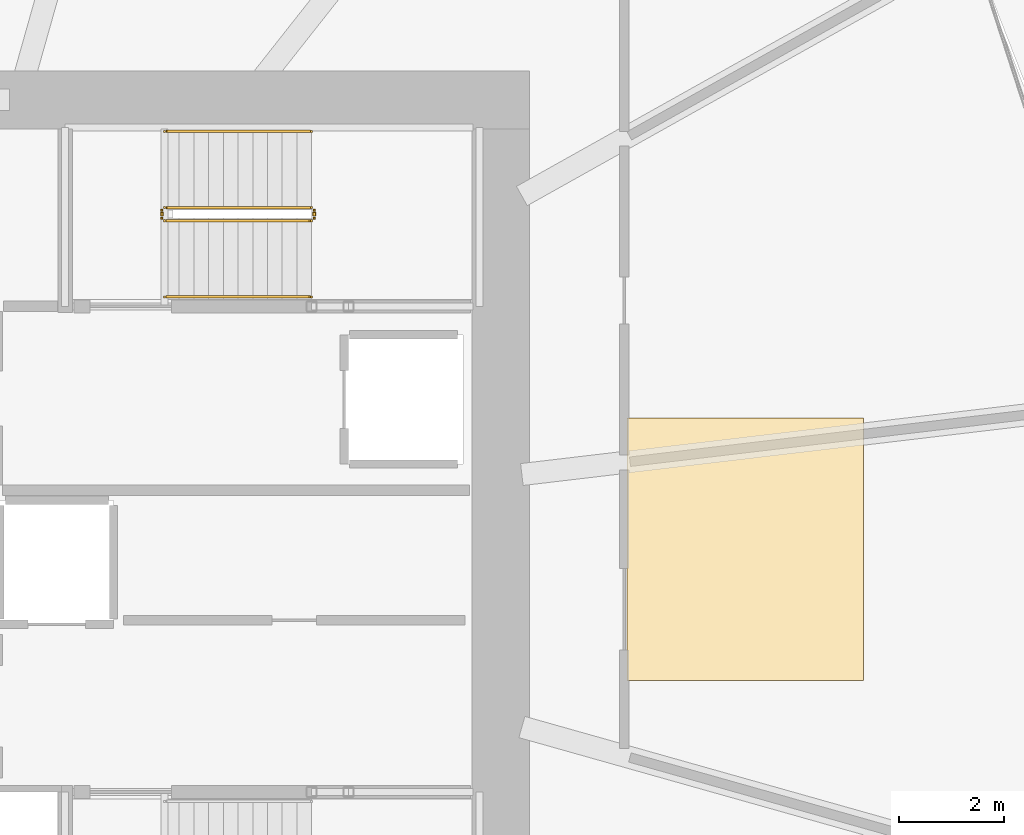
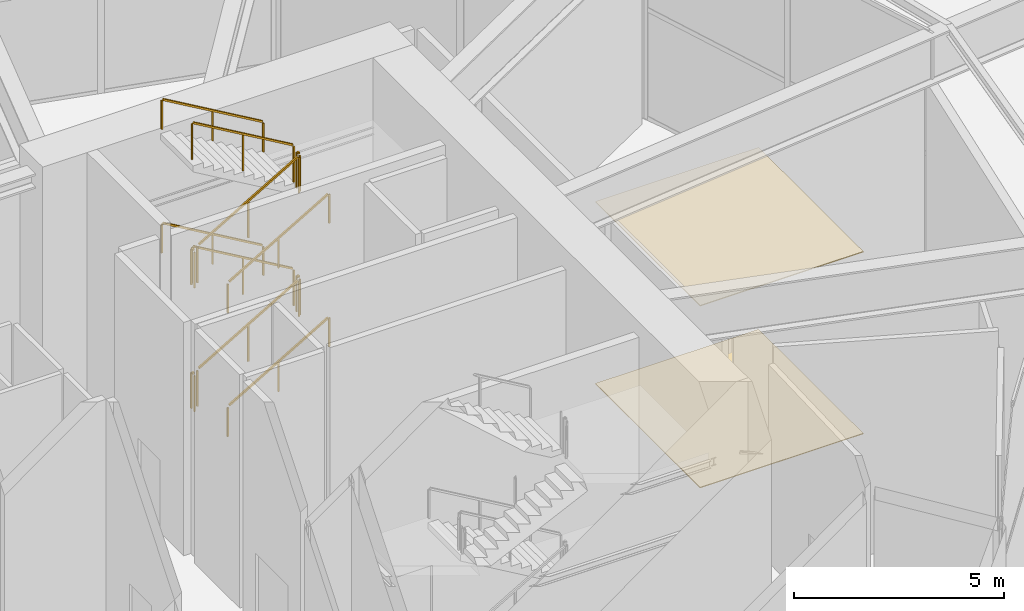
# One storey, part 26 of 28: 12 railings, 2 coverings.
"""IFC4 building model written with IfcOpenShell, lengths in metres."""

import ifcopenshell
import ifcopenshell.guid

model = None  # the IFC model being written
_history = None  # IfcOwnerHistory: only IFC2X3 demands one
_inside = {}  # id of a spatial element -> (the spatial element, [elements in it])
_under = {}  # id of a project, library or spatial element -> (it, [spatial elements below it])
_declared = {}  # id of a project -> (the project, [libraries it declares])
_typed = {}  # id of a type object -> (the type object, [elements of that type])
_made_of = {}  # id of a material, layer set ... -> (it, [elements and type objects made of it])


def new_model(schema):
    """Start an empty IFC model of exactly this schema.

    Asked for "IFC4X3", IfcOpenShell would pick the latest addendum, in which some entities
    have other attributes; the version numbers below select the first issue.
    IFC2X3 requires an IfcOwnerHistory on every rooted entity: one is made here for all.
    """
    global model, _history
    if schema == "IFC4X3":
        model = ifcopenshell.file(schema_version=(4, 3, 0, 0))
    else:
        model = ifcopenshell.file(schema=schema)
    _inside.clear()
    _under.clear()
    _declared.clear()
    _typed.clear()
    _made_of.clear()
    _history = None
    if model.schema == "IFC2X3":
        org = make("IfcOrganization", Name="unknown")
        user = make(
            "IfcPersonAndOrganization",
            ThePerson=make("IfcPerson", FamilyName="unknown"),
            TheOrganization=org,
        )
        app = make(
            "IfcApplication",
            ApplicationDeveloper=org,
            Version="unknown",
            ApplicationFullName="unknown",
            ApplicationIdentifier="unknown",
        )
        _history = make(
            "IfcOwnerHistory",
            OwningUser=user,
            OwningApplication=app,
            ChangeAction="ADDED",
            CreationDate=0,
        )
    return model


def make(cls, **values):
    """One entity of the class cls with the attributes given. An attribute that is None is left unset."""
    return model.create_entity(
        cls, **{name: value for name, value in values.items() if value is not None}
    )


def rooted(cls, **values):
    """An entity with a GlobalId (a new one), such as an element, a storey or a relation."""
    return make(cls, GlobalId=ifcopenshell.guid.new(), OwnerHistory=_history, **values)


def si_unit(unit_type, name, prefix=None):
    """IfcSIUnit, for example si_unit("LENGTHUNIT", "METRE", prefix="MILLI")."""
    return make("IfcSIUnit", UnitType=unit_type, Prefix=prefix, Name=name)


def assignment(units):
    """IfcUnitAssignment: the units of a project."""
    return None if units is None else make("IfcUnitAssignment", Units=units)


def point(xyz):
    """IfcCartesianPoint."""
    return None if xyz is None else make("IfcCartesianPoint", Coordinates=xyz)


def direction(xyz):
    """IfcDirection."""
    return None if xyz is None else make("IfcDirection", DirectionRatios=xyz)


def frame(location, z_axis=None, x_axis=None):
    """IfcAxis2Placement3D, a coordinate frame: its origin and axes. An axis left out is left unset."""
    return make(
        "IfcAxis2Placement3D",
        Location=point(location),
        Axis=direction(z_axis),
        RefDirection=direction(x_axis),
    )


def frame_2d(location, x_axis=None):
    """IfcAxis2Placement2D, a coordinate frame in the plane: its origin and x axis."""
    return make(
        "IfcAxis2Placement2D", Location=point(location), RefDirection=direction(x_axis)
    )


def origin():
    """The frame at (0, 0, 0) with its axes left unset."""
    return frame((0.0, 0.0, 0.0))


def origin_2d():
    """The frame at (0, 0) in the plane with its x axis left unset."""
    return frame_2d((0.0, 0.0))


def place(relative_to, where):
    """IfcLocalPlacement: puts the frame where relative to a parent placement (None: the world)."""
    return make(
        "IfcLocalPlacement", PlacementRelTo=relative_to, RelativePlacement=where
    )


def context(
    kind, dimensions, precision=None, world=None, true_north=None, identifier=None
):
    """IfcGeometricRepresentationContext, for example the 3D "Model" context."""
    return make(
        "IfcGeometricRepresentationContext",
        ContextIdentifier=identifier,
        ContextType=kind,
        CoordinateSpaceDimension=dimensions,
        Precision=precision,
        WorldCoordinateSystem=world,
        TrueNorth=true_north,
    )


def subcontext(parent, identifier, kind, view, scale=None):
    """IfcGeometricRepresentationSubContext, for example "Body" below "Model"."""
    return make(
        "IfcGeometricRepresentationSubContext",
        ContextIdentifier=identifier,
        ContextType=kind,
        ParentContext=parent,
        TargetScale=scale,
        TargetView=view,
    )


def project(units=None, contexts=None):
    """IfcProject with its units and contexts."""
    return rooted(
        "IfcProject",
        Name="project",
        RepresentationContexts=contexts,
        UnitsInContext=assignment(units),
    )


def spatial(cls, under=None, at=None, **own):
    """A site, building, storey or space (cls), placed at a placement, below another one or the project."""
    s = rooted(cls, ObjectPlacement=at, **own)
    if under is not None:
        _under.setdefault(under.id(), (under, []))[1].append(s)
    return s


def polyline(points):
    """IfcPolyline through the points."""
    return make("IfcPolyline", Points=[point(p) for p in points])


def profile(cls, at=None, kind="AREA", **sizes):
    """A parametric profile (cls). Its sizes go by their IFC names, for example OverallWidth=200.0."""
    return make(cls, ProfileType=kind, Position=at, **sizes)


def rectangle(**sizes):
    """IfcRectangleProfileDef."""
    return profile("IfcRectangleProfileDef", **sizes)


def outline(outer, holes=None, kind="AREA"):
    """IfcArbitraryClosedProfileDef: a profile drawn as a closed curve; with holes, ...WithVoids."""
    if holes is None:
        return make("IfcArbitraryClosedProfileDef", ProfileType=kind, OuterCurve=outer)
    return make(
        "IfcArbitraryProfileDefWithVoids",
        ProfileType=kind,
        OuterCurve=outer,
        InnerCurves=holes,
    )


def extrude(swept, where, along, depth):
    """IfcExtrudedAreaSolid: the profile swept, set in the frame where, extruded along a direction by depth."""
    return make(
        "IfcExtrudedAreaSolid",
        SweptArea=swept,
        Position=where,
        ExtrudedDirection=direction(along),
        Depth=depth,
    )


def shape(context_of_items, identifier, shape_type, items):
    """IfcShapeRepresentation: the items that make up one representation, for example the "Body"."""
    return make(
        "IfcShapeRepresentation",
        ContextOfItems=context_of_items,
        RepresentationIdentifier=identifier,
        RepresentationType=shape_type,
        Items=items,
    )


def material(Name=None, Category=None):
    """IfcMaterial."""
    return make("IfcMaterial", Name=Name, Category=Category)


def layer(
    of_material, thickness, ventilated=None, Name=None, Category=None, Priority=None
):
    """IfcMaterialLayer: one layer of a wall or slab, of a material (None: an air gap)."""
    return make(
        "IfcMaterialLayer",
        Material=of_material,
        LayerThickness=thickness,
        IsVentilated=ventilated,
        Name=Name,
        Category=Category,
        Priority=Priority,
    )


def layer_set(layers, Name=None):
    """IfcMaterialLayerSet."""
    return make("IfcMaterialLayerSet", MaterialLayers=layers, LayerSetName=Name)


def made_of(thing, what):
    """Note that an element or type object is made of a material, layer set ...; save() writes the relation."""
    if what is not None:
        _made_of.setdefault(what.id(), (what, []))[1].append(thing)
    return thing


def type_object(cls, material=None, **own):
    """A type object (cls), such as IfcWallType, which elements share."""
    return made_of(rooted(cls, **own), material)


def element(
    cls,
    number,
    at=None,
    inside=None,
    cuts=None,
    type_object=None,
    material=None,
    context=None,
    identifier="Body",
    shape_type=None,
    held_by="IfcProductDefinitionShape",
    body=None,
    shapes=None,
    **own,
):
    """One element of the class cls, such as IfcWall. Its Tag is "e" and its number.

    at: its placement. inside: the storey or other place that contains it. cuts: it is an
    opening in that element (IfcRelVoidsElement). A single representation is given by context,
    identifier, shape_type and body (its items); several are given by shapes. held_by: the class
    of the entity that holds the representations. save() writes the other relations.
    """
    e = rooted(cls, Tag="e%d" % number, ObjectPlacement=at, **own)
    if body is not None:
        shapes = [shape(context, identifier, shape_type, body)]
    if shapes is not None:
        e.Representation = make(held_by, Representations=shapes)
    if inside is not None:
        _inside.setdefault(inside.id(), (inside, []))[1].append(e)
    if cuts is not None:
        rooted(
            "IfcRelVoidsElement", RelatingBuildingElement=cuts, RelatedOpeningElement=e
        )
    if type_object is not None:
        _typed.setdefault(type_object.id(), (type_object, []))[1].append(e)
    return made_of(e, material)


def aggregate(whole, parts):
    """IfcRelAggregates: a whole, such as a stair, and the parts it consists of."""
    return rooted("IfcRelAggregates", RelatingObject=whole, RelatedObjects=parts)


def save(model, path):
    """Write the relations noted so far, then the file.

    IfcRelAggregates (storeys below a building ...), IfcRelContainedInSpatialStructure (elements
    in a storey), IfcRelDefinesByType, IfcRelAssociatesMaterial and IfcRelDeclares: one each for
    every whole, place, type object, material and project.
    """
    for whole, parts in _under.values():
        aggregate(whole, parts)
    for where, things in _inside.values():
        rooted(
            "IfcRelContainedInSpatialStructure",
            RelatedElements=things,
            RelatingStructure=where,
        )
    for kind, things in _typed.values():
        rooted("IfcRelDefinesByType", RelatedObjects=things, RelatingType=kind)
    for what, things in _made_of.values():
        rooted("IfcRelAssociatesMaterial", RelatedObjects=things, RelatingMaterial=what)
    for by, libraries in _declared.values():
        rooted("IfcRelDeclares", RelatingContext=by, RelatedDefinitions=libraries)
    model.write(path)


model = new_model("IFC4")

# Units and contexts
model_context = context("Model", 3, precision=1e-05, world=origin(), true_north=direction((0.0, 1.0)))
body_context = subcontext(model_context, "Body", "Model", "MODEL_VIEW")
ifc_project = project(units=[si_unit("LENGTHUNIT", "METRE"), si_unit("AREAUNIT", "SQUARE_METRE"), si_unit("VOLUMEUNIT", "CUBIC_METRE"), si_unit("PLANEANGLEUNIT", "RADIAN"), si_unit("MASSUNIT", "GRAM", prefix="KILO")], contexts=[model_context])

# Site, building, storey
site_placement = place(None, origin())
site = spatial("IfcSite", under=ifc_project, at=site_placement, CompositionType="ELEMENT")
building_placement = place(site_placement, origin())
building = spatial("IfcBuilding", under=site, at=building_placement, Name="Kazma Halo Residences", CompositionType="ELEMENT")
storey_placement = place(building_placement, origin())
storey = spatial("IfcBuildingStorey", under=building, at=storey_placement, Name="L00", CompositionType="ELEMENT", Elevation=0.0)

# Coverings
ifc_material_1 = material(Name="Perforated Gypsum Acoustic Ceiling")
ifc_layer_1 = layer(ifc_material_1, 0.02490234375)
ifc_layer_set_1 = layer_set([ifc_layer_1], Name="Perforated Gypsum Acoustic Ceiling")
covering_type_1 = type_object("IfcCoveringType", Name="COV-CEIL-ACOUSTIC", PredefinedType="CEILING", material=ifc_layer_set_1)
covering_1_placement = place(storey_placement, frame((0.0, 0.0, 5.294921875)))
element("IfcCovering", 1, at=covering_1_placement, inside=storey, type_object=covering_type_1, Name="L00 amenity acoustic ceiling", PredefinedType="CEILING", context=body_context, shape_type="SweptSolid", body=[
    extrude(outline(polyline([(62.0, 39.5), (66.5, 39.5), (66.5, 44.5), (62.0, 44.5), (62.0, 39.5)])), origin(), (0.0, 0.0, 1.0), 0.025146484375),
])
ifc_material_2 = material(Name="Polished Limestone Terrazzo Flooring", Category="masonry")
ifc_layer_2 = layer(ifc_material_2, 0.02001953125)
ifc_layer_set_2 = layer_set([ifc_layer_2], Name="Polished Limestone Terrazzo Flooring")
covering_type_2 = type_object("IfcCoveringType", Name="COV-FLR-TERRAZZO", PredefinedType="FLOORING", material=ifc_layer_set_2)
covering_2_placement = place(storey_placement, origin())
element("IfcCovering", 2, at=covering_2_placement, inside=storey, type_object=covering_type_2, Name="L00 amenity terrazzo floor finish", PredefinedType="FLOORING", context=body_context, shape_type="SweptSolid", body=[
    extrude(outline(polyline([(62.0, 39.5), (66.5, 39.5), (66.5, 44.5), (62.0, 44.5), (62.0, 39.5)])), origin(), (0.0, 0.0, 1.0), 0.02001953125),
])

# Railings
ifc_material_3 = material(Name="Painted Steel S355", Category="steel")
railing_type_1 = type_object("IfcRailingType", Name="RLG-STAIR-GRD-1100", PredefinedType="GUARDRAIL", material=ifc_material_3)
railing_1_placement = place(storey_placement, frame((53.199951171875, 48.25, 0.16357421875)))
element("IfcRailing", 3, at=railing_1_placement, inside=storey, type_object=railing_type_1, Name="L00 ST-02 stair guard 1", PredefinedType="GUARDRAIL", context=body_context, shape_type="SweptSolid", body=[
    extrude(rectangle(XDim=0.050048828125, YDim=0.050048828125, at=origin_2d()), frame((0.03662109375, 0.0, 1.096435546875), z_axis=(0.863360870873, 0.0, 0.504586966384), x_axis=(0.0, 1.0, 0.0)), (0.0, 0.0, 1.0), 3.158203125),
    extrude(rectangle(XDim=0.0400390625, YDim=0.0400390625, at=origin_2d()), origin(), (0.0, 0.0, 1.0), 1.0380859375),
    extrude(rectangle(XDim=0.0400390625, YDim=0.0400390625, at=origin_2d()), frame((1.39990234375, 0.0, 0.818359375)), (0.0, 0.0, 1.0), 1.0380859375),
    extrude(rectangle(XDim=0.0400390625, YDim=0.0400390625, at=origin_2d()), frame((2.800048828125, 0.0, 1.636474609375)), (0.0, 0.0, 1.0), 1.0380859375),
])
railing_2_placement = place(storey_placement, frame((56.050048828125, 48.300048828125, 1.800048828125)))
element("IfcRailing", 4, at=railing_2_placement, inside=storey, type_object=railing_type_1, Name="L00 ST-02 stair guard 2", PredefinedType="GUARDRAIL", context=body_context, shape_type="SweptSolid", body=[
    extrude(rectangle(XDim=0.050048828125, YDim=0.050048828125, at=origin_2d()), frame((0.0, 0.04248046875, 1.0751953125), z_axis=(0.0, 1.0, 0.0), x_axis=(-1.0, 0.0, 0.0)), (0.0, 0.0, 1.0), 0.06494140625),
    extrude(rectangle(XDim=0.0400390625, YDim=0.0400390625, at=origin_2d()), origin(), (0.0, 0.0, 1.0), 1.0380859375),
    extrude(rectangle(XDim=0.0400390625, YDim=0.0400390625, at=origin_2d()), frame((0.0, 0.14990234375, 0.0)), (0.0, 0.0, 1.0), 1.0380859375),
])
railing_3_placement = place(storey_placement, frame((56.0, 48.5, 1.963623046875)))
element("IfcRailing", 5, at=railing_3_placement, inside=storey, type_object=railing_type_1, Name="L00 ST-02 stair guard 3", PredefinedType="GUARDRAIL", context=body_context, shape_type="SweptSolid", body=[
    extrude(rectangle(XDim=0.050048828125, YDim=0.050048828125, at=origin_2d()), frame((-0.03662109375, 0.0, 1.096435546875), z_axis=(-0.863360870873, 0.0, 0.504586966384), x_axis=(0.0, -1.0, 0.0)), (0.0, 0.0, 1.0), 3.158203125),
    extrude(rectangle(XDim=0.0400390625, YDim=0.0400390625, at=origin_2d()), origin(), (0.0, 0.0, 1.0), 1.0380859375),
    extrude(rectangle(XDim=0.0400390625, YDim=0.0400390625, at=origin_2d()), frame((-1.39990234375, 0.0, 0.818359375)), (0.0, 0.0, 1.0), 1.0380859375),
    extrude(rectangle(XDim=0.0400390625, YDim=0.0400390625, at=origin_2d()), frame((-2.800048828125, 0.0, 1.636474609375)), (0.0, 0.0, 1.0), 1.0380859375),
])
railing_4_placement = place(storey_placement, frame((53.14990234375, 48.300048828125, 3.60009765625)))
element("IfcRailing", 6, at=railing_4_placement, inside=storey, type_object=railing_type_1, Name="L00 ST-02 stair guard 4", PredefinedType="GUARDRAIL", context=body_context, shape_type="SweptSolid", body=[
    extrude(rectangle(XDim=0.050048828125, YDim=0.050048828125, at=origin_2d()), frame((0.0, 0.04248046875, 1.0751953125), z_axis=(0.0, 1.0, 0.0), x_axis=(-1.0, 0.0, 0.0)), (0.0, 0.0, 1.0), 0.06494140625),
    extrude(rectangle(XDim=0.0400390625, YDim=0.0400390625, at=origin_2d()), origin(), (0.0, 0.0, 1.0), 1.0380859375),
    extrude(rectangle(XDim=0.0400390625, YDim=0.0400390625, at=origin_2d()), frame((0.0, 0.14990234375, 0.0)), (0.0, 0.0, 1.0), 1.0380859375),
])
railing_5_placement = place(storey_placement, frame((53.199951171875, 48.25, 3.763671875)))
element("IfcRailing", 7, at=railing_5_placement, inside=storey, type_object=railing_type_1, Name="L00 ST-02 stair guard 5", PredefinedType="GUARDRAIL", context=body_context, shape_type="SweptSolid", body=[
    extrude(rectangle(XDim=0.050048828125, YDim=0.050048828125, at=origin_2d()), frame((0.03662109375, 0.0, 1.096435546875), z_axis=(0.863393664356, 0.0, 0.504530851732), x_axis=(0.0, 1.0, 0.0)), (0.0, 0.0, 1.0), 3.157958984375),
    extrude(rectangle(XDim=0.0400390625, YDim=0.0400390625, at=origin_2d()), origin(), (0.0, 0.0, 1.0), 1.0380859375),
    extrude(rectangle(XDim=0.0400390625, YDim=0.0400390625, at=origin_2d()), frame((1.39990234375, 0.0, 0.818115234375)), (0.0, 0.0, 1.0), 1.0380859375),
    extrude(rectangle(XDim=0.0400390625, YDim=0.0400390625, at=origin_2d()), frame((2.800048828125, 0.0, 1.63623046875)), (0.0, 0.0, 1.0), 1.0380859375),
])
railing_6_placement = place(storey_placement, frame((56.050048828125, 48.300048828125, 5.39990234375)))
element("IfcRailing", 8, at=railing_6_placement, inside=storey, type_object=railing_type_1, Name="L00 ST-02 stair guard 6", PredefinedType="GUARDRAIL", context=body_context, shape_type="SweptSolid", body=[
    extrude(rectangle(XDim=0.050048828125, YDim=0.050048828125, at=origin_2d()), frame((0.0, 0.04248046875, 1.0751953125), z_axis=(0.0, 1.0, 0.0), x_axis=(-1.0, 0.0, 0.0)), (0.0, 0.0, 1.0), 0.06494140625),
    extrude(rectangle(XDim=0.0400390625, YDim=0.0400390625, at=origin_2d()), origin(), (0.0, 0.0, 1.0), 1.0380859375),
    extrude(rectangle(XDim=0.0400390625, YDim=0.0400390625, at=origin_2d()), frame((0.0, 0.14990234375, 0.0)), (0.0, 0.0, 1.0), 1.0380859375),
])
railing_7_placement = place(storey_placement, frame((56.0, 48.5, 5.563720703125)))
element("IfcRailing", 9, at=railing_7_placement, inside=storey, type_object=railing_type_1, Name="L00 ST-02 stair guard 7", PredefinedType="GUARDRAIL", context=body_context, shape_type="SweptSolid", body=[
    extrude(rectangle(XDim=0.050048828125, YDim=0.050048828125, at=origin_2d()), frame((-0.03662109375, 0.0, 1.096435546875), z_axis=(-0.863393664356, 0.0, 0.504530851732), x_axis=(0.0, -1.0, 0.0)), (0.0, 0.0, 1.0), 3.157958984375),
    extrude(rectangle(XDim=0.0400390625, YDim=0.0400390625, at=origin_2d()), origin(), (0.0, 0.0, 1.0), 1.0380859375),
    extrude(rectangle(XDim=0.0400390625, YDim=0.0400390625, at=origin_2d()), frame((-1.39990234375, 0.0, 0.818115234375)), (0.0, 0.0, 1.0), 1.0380859375),
    extrude(rectangle(XDim=0.0400390625, YDim=0.0400390625, at=origin_2d()), frame((-2.800048828125, 0.0, 1.63623046875)), (0.0, 0.0, 1.0), 1.0380859375),
])
railing_8_placement = place(storey_placement, frame((53.14990234375, 48.300048828125, 0.0)))
element("IfcRailing", 10, at=railing_8_placement, inside=storey, type_object=railing_type_1, Name="L00 ST-02 stair guard 8", PredefinedType="GUARDRAIL", context=body_context, shape_type="SweptSolid", body=[
    extrude(rectangle(XDim=0.050048828125, YDim=0.050048828125, at=origin_2d()), frame((0.0, 0.04248046875, 1.0751953125), z_axis=(0.0, 1.0, 0.0), x_axis=(-1.0, 0.0, 0.0)), (0.0, 0.0, 1.0), 0.06494140625),
    extrude(rectangle(XDim=0.0400390625, YDim=0.0400390625, at=origin_2d()), origin(), (0.0, 0.0, 1.0), 1.0380859375),
    extrude(rectangle(XDim=0.0400390625, YDim=0.0400390625, at=origin_2d()), frame((0.0, 0.14990234375, 0.0)), (0.0, 0.0, 1.0), 1.0380859375),
])
ifc_material_4 = material(Name="Brushed Stainless Steel", Category="steel")
railing_type_2 = type_object("IfcRailingType", Name="RLG-STAIR-HND-900", PredefinedType="HANDRAIL", material=ifc_material_4)
railing_9_placement = place(storey_placement, frame((53.199951171875, 46.800048828125, 0.16357421875)))
element("IfcRailing", 11, at=railing_9_placement, inside=storey, type_object=railing_type_2, Name="L00 ST-02 stair handrail 1", PredefinedType="HANDRAIL", context=body_context, shape_type="SweptSolid", body=[
    extrude(rectangle(XDim=0.050048828125, YDim=0.050048828125, at=origin_2d()), frame((0.03662109375, 0.0, 0.896240234375), z_axis=(0.863360870873, 0.0, 0.504586966384), x_axis=(0.0, 1.0, 0.0)), (0.0, 0.0, 1.0), 3.158203125),
    extrude(rectangle(XDim=0.0400390625, YDim=0.0400390625, at=origin_2d()), origin(), (0.0, 0.0, 1.0), 0.837890625),
    extrude(rectangle(XDim=0.0400390625, YDim=0.0400390625, at=origin_2d()), frame((1.39990234375, 0.0, 0.818359375)), (0.0, 0.0, 1.0), 0.837890625),
    extrude(rectangle(XDim=0.0400390625, YDim=0.0400390625, at=origin_2d()), frame((2.800048828125, 0.0, 1.636474609375)), (0.0, 0.0, 1.0), 0.837890625),
])
railing_10_placement = place(storey_placement, frame((56.0, 49.949951171875, 1.963623046875)))
element("IfcRailing", 12, at=railing_10_placement, inside=storey, type_object=railing_type_2, Name="L00 ST-02 stair handrail 2", PredefinedType="HANDRAIL", context=body_context, shape_type="SweptSolid", body=[
    extrude(rectangle(XDim=0.050048828125, YDim=0.050048828125, at=origin_2d()), frame((-0.03662109375, 0.0, 0.896240234375), z_axis=(-0.863360870873, 0.0, 0.504586966384), x_axis=(0.0, -1.0, 0.0)), (0.0, 0.0, 1.0), 3.158203125),
    extrude(rectangle(XDim=0.0400390625, YDim=0.0400390625, at=origin_2d()), origin(), (0.0, 0.0, 1.0), 0.837890625),
    extrude(rectangle(XDim=0.0400390625, YDim=0.0400390625, at=origin_2d()), frame((-1.39990234375, 0.0, 0.818359375)), (0.0, 0.0, 1.0), 0.837890625),
    extrude(rectangle(XDim=0.0400390625, YDim=0.0400390625, at=origin_2d()), frame((-2.800048828125, 0.0, 1.636474609375)), (0.0, 0.0, 1.0), 0.837890625),
])
railing_11_placement = place(storey_placement, frame((53.199951171875, 46.800048828125, 3.763671875)))
element("IfcRailing", 13, at=railing_11_placement, inside=storey, type_object=railing_type_2, Name="L00 ST-02 stair handrail 3", PredefinedType="HANDRAIL", context=body_context, shape_type="SweptSolid", body=[
    extrude(rectangle(XDim=0.050048828125, YDim=0.050048828125, at=origin_2d()), frame((0.03662109375, 0.0, 0.896240234375), z_axis=(0.863393664356, 0.0, 0.504530851732), x_axis=(0.0, 1.0, 0.0)), (0.0, 0.0, 1.0), 3.157958984375),
    extrude(rectangle(XDim=0.0400390625, YDim=0.0400390625, at=origin_2d()), origin(), (0.0, 0.0, 1.0), 0.837890625),
    extrude(rectangle(XDim=0.0400390625, YDim=0.0400390625, at=origin_2d()), frame((1.39990234375, 0.0, 0.818115234375)), (0.0, 0.0, 1.0), 0.837890625),
    extrude(rectangle(XDim=0.0400390625, YDim=0.0400390625, at=origin_2d()), frame((2.800048828125, 0.0, 1.63623046875)), (0.0, 0.0, 1.0), 0.837890625),
])
railing_12_placement = place(storey_placement, frame((56.0, 49.949951171875, 5.563720703125)))
element("IfcRailing", 14, at=railing_12_placement, inside=storey, type_object=railing_type_2, Name="L00 ST-02 stair handrail 4", PredefinedType="HANDRAIL", context=body_context, shape_type="SweptSolid", body=[
    extrude(rectangle(XDim=0.050048828125, YDim=0.050048828125, at=origin_2d()), frame((-0.03662109375, 0.0, 0.896240234375), z_axis=(-0.863393664356, 0.0, 0.504530851732), x_axis=(0.0, -1.0, 0.0)), (0.0, 0.0, 1.0), 3.157958984375),
    extrude(rectangle(XDim=0.0400390625, YDim=0.0400390625, at=origin_2d()), origin(), (0.0, 0.0, 1.0), 0.837890625),
    extrude(rectangle(XDim=0.0400390625, YDim=0.0400390625, at=origin_2d()), frame((-1.39990234375, 0.0, 0.818115234375)), (0.0, 0.0, 1.0), 0.837890625),
    extrude(rectangle(XDim=0.0400390625, YDim=0.0400390625, at=origin_2d()), frame((-2.800048828125, 0.0, 1.63623046875)), (0.0, 0.0, 1.0), 0.837890625),
])

save(model, "model.ifc")
